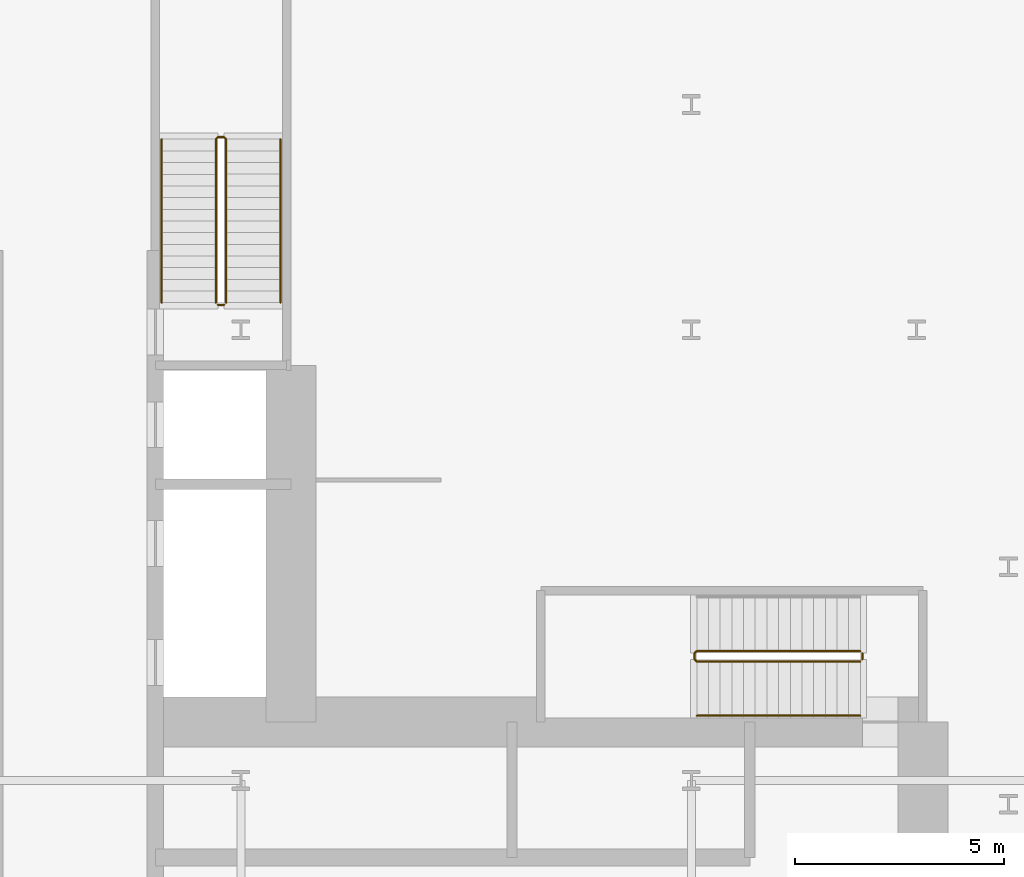
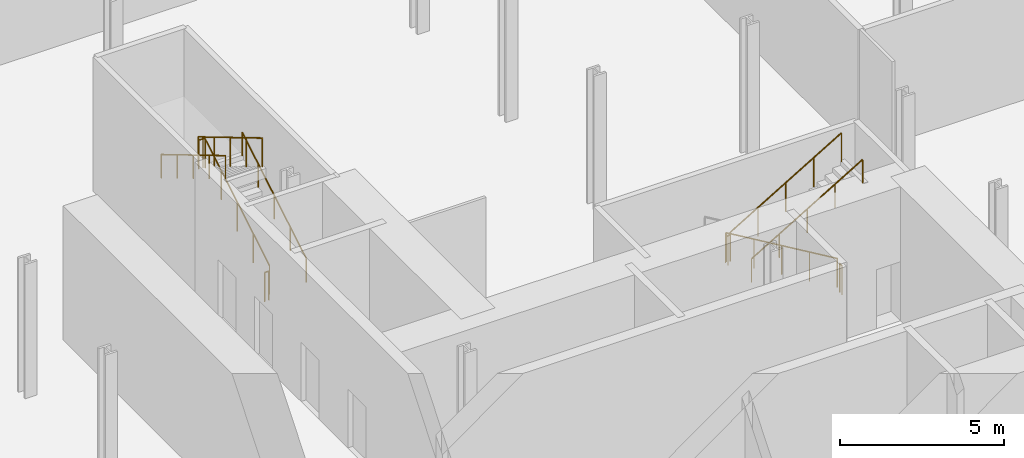
# One storey, part 15 of 19: 7 railings.
"""IFC4 building model written with IfcOpenShell, lengths in metres."""

import ifcopenshell
import ifcopenshell.guid

model = None  # the IFC model being written
_history = None  # IfcOwnerHistory: only IFC2X3 demands one
_inside = {}  # id of a spatial element -> (the spatial element, [elements in it])
_under = {}  # id of a project, library or spatial element -> (it, [spatial elements below it])
_declared = {}  # id of a project -> (the project, [libraries it declares])
_typed = {}  # id of a type object -> (the type object, [elements of that type])
_made_of = {}  # id of a material, layer set ... -> (it, [elements and type objects made of it])


def new_model(schema):
    """Start an empty IFC model of exactly this schema.

    Asked for "IFC4X3", IfcOpenShell would pick the latest addendum, in which some entities
    have other attributes; the version numbers below select the first issue.
    IFC2X3 requires an IfcOwnerHistory on every rooted entity: one is made here for all.
    """
    global model, _history
    if schema == "IFC4X3":
        model = ifcopenshell.file(schema_version=(4, 3, 0, 0))
    else:
        model = ifcopenshell.file(schema=schema)
    _inside.clear()
    _under.clear()
    _declared.clear()
    _typed.clear()
    _made_of.clear()
    _history = None
    if model.schema == "IFC2X3":
        org = make("IfcOrganization", Name="unknown")
        user = make(
            "IfcPersonAndOrganization",
            ThePerson=make("IfcPerson", FamilyName="unknown"),
            TheOrganization=org,
        )
        app = make(
            "IfcApplication",
            ApplicationDeveloper=org,
            Version="unknown",
            ApplicationFullName="unknown",
            ApplicationIdentifier="unknown",
        )
        _history = make(
            "IfcOwnerHistory",
            OwningUser=user,
            OwningApplication=app,
            ChangeAction="ADDED",
            CreationDate=0,
        )
    return model


def make(cls, **values):
    """One entity of the class cls with the attributes given. An attribute that is None is left unset."""
    return model.create_entity(
        cls, **{name: value for name, value in values.items() if value is not None}
    )


def rooted(cls, **values):
    """An entity with a GlobalId (a new one), such as an element, a storey or a relation."""
    return make(cls, GlobalId=ifcopenshell.guid.new(), OwnerHistory=_history, **values)


def si_unit(unit_type, name, prefix=None):
    """IfcSIUnit, for example si_unit("LENGTHUNIT", "METRE", prefix="MILLI")."""
    return make("IfcSIUnit", UnitType=unit_type, Prefix=prefix, Name=name)


def assignment(units):
    """IfcUnitAssignment: the units of a project."""
    return None if units is None else make("IfcUnitAssignment", Units=units)


def point(xyz):
    """IfcCartesianPoint."""
    return None if xyz is None else make("IfcCartesianPoint", Coordinates=xyz)


def direction(xyz):
    """IfcDirection."""
    return None if xyz is None else make("IfcDirection", DirectionRatios=xyz)


def frame(location, z_axis=None, x_axis=None):
    """IfcAxis2Placement3D, a coordinate frame: its origin and axes. An axis left out is left unset."""
    return make(
        "IfcAxis2Placement3D",
        Location=point(location),
        Axis=direction(z_axis),
        RefDirection=direction(x_axis),
    )


def frame_2d(location, x_axis=None):
    """IfcAxis2Placement2D, a coordinate frame in the plane: its origin and x axis."""
    return make(
        "IfcAxis2Placement2D", Location=point(location), RefDirection=direction(x_axis)
    )


def origin():
    """The frame at (0, 0, 0) with its axes left unset."""
    return frame((0.0, 0.0, 0.0))


def origin_2d():
    """The frame at (0, 0) in the plane with its x axis left unset."""
    return frame_2d((0.0, 0.0))


def place(relative_to, where):
    """IfcLocalPlacement: puts the frame where relative to a parent placement (None: the world)."""
    return make(
        "IfcLocalPlacement", PlacementRelTo=relative_to, RelativePlacement=where
    )


def context(
    kind, dimensions, precision=None, world=None, true_north=None, identifier=None
):
    """IfcGeometricRepresentationContext, for example the 3D "Model" context."""
    return make(
        "IfcGeometricRepresentationContext",
        ContextIdentifier=identifier,
        ContextType=kind,
        CoordinateSpaceDimension=dimensions,
        Precision=precision,
        WorldCoordinateSystem=world,
        TrueNorth=true_north,
    )


def subcontext(parent, identifier, kind, view, scale=None):
    """IfcGeometricRepresentationSubContext, for example "Body" below "Model"."""
    return make(
        "IfcGeometricRepresentationSubContext",
        ContextIdentifier=identifier,
        ContextType=kind,
        ParentContext=parent,
        TargetScale=scale,
        TargetView=view,
    )


def project(units=None, contexts=None):
    """IfcProject with its units and contexts."""
    return rooted(
        "IfcProject",
        Name="project",
        RepresentationContexts=contexts,
        UnitsInContext=assignment(units),
    )


def spatial(cls, under=None, at=None, **own):
    """A site, building, storey or space (cls), placed at a placement, below another one or the project."""
    s = rooted(cls, ObjectPlacement=at, **own)
    if under is not None:
        _under.setdefault(under.id(), (under, []))[1].append(s)
    return s


def profile(cls, at=None, kind="AREA", **sizes):
    """A parametric profile (cls). Its sizes go by their IFC names, for example OverallWidth=200.0."""
    return make(cls, ProfileType=kind, Position=at, **sizes)


def circle(**sizes):
    """IfcCircleProfileDef."""
    return profile("IfcCircleProfileDef", **sizes)


def extrude(swept, where, along, depth):
    """IfcExtrudedAreaSolid: the profile swept, set in the frame where, extruded along a direction by depth."""
    return make(
        "IfcExtrudedAreaSolid",
        SweptArea=swept,
        Position=where,
        ExtrudedDirection=direction(along),
        Depth=depth,
    )


def shape(context_of_items, identifier, shape_type, items):
    """IfcShapeRepresentation: the items that make up one representation, for example the "Body"."""
    return make(
        "IfcShapeRepresentation",
        ContextOfItems=context_of_items,
        RepresentationIdentifier=identifier,
        RepresentationType=shape_type,
        Items=items,
    )


def material(Name=None, Category=None):
    """IfcMaterial."""
    return make("IfcMaterial", Name=Name, Category=Category)


def made_of(thing, what):
    """Note that an element or type object is made of a material, layer set ...; save() writes the relation."""
    if what is not None:
        _made_of.setdefault(what.id(), (what, []))[1].append(thing)
    return thing


def type_object(cls, material=None, **own):
    """A type object (cls), such as IfcWallType, which elements share."""
    return made_of(rooted(cls, **own), material)


def element(
    cls,
    number,
    at=None,
    inside=None,
    cuts=None,
    type_object=None,
    material=None,
    context=None,
    identifier="Body",
    shape_type=None,
    held_by="IfcProductDefinitionShape",
    body=None,
    shapes=None,
    **own,
):
    """One element of the class cls, such as IfcWall. Its Tag is "e" and its number.

    at: its placement. inside: the storey or other place that contains it. cuts: it is an
    opening in that element (IfcRelVoidsElement). A single representation is given by context,
    identifier, shape_type and body (its items); several are given by shapes. held_by: the class
    of the entity that holds the representations. save() writes the other relations.
    """
    e = rooted(cls, Tag="e%d" % number, ObjectPlacement=at, **own)
    if body is not None:
        shapes = [shape(context, identifier, shape_type, body)]
    if shapes is not None:
        e.Representation = make(held_by, Representations=shapes)
    if inside is not None:
        _inside.setdefault(inside.id(), (inside, []))[1].append(e)
    if cuts is not None:
        rooted(
            "IfcRelVoidsElement", RelatingBuildingElement=cuts, RelatedOpeningElement=e
        )
    if type_object is not None:
        _typed.setdefault(type_object.id(), (type_object, []))[1].append(e)
    return made_of(e, material)


def aggregate(whole, parts):
    """IfcRelAggregates: a whole, such as a stair, and the parts it consists of."""
    return rooted("IfcRelAggregates", RelatingObject=whole, RelatedObjects=parts)


def save(model, path):
    """Write the relations noted so far, then the file.

    IfcRelAggregates (storeys below a building ...), IfcRelContainedInSpatialStructure (elements
    in a storey), IfcRelDefinesByType, IfcRelAssociatesMaterial and IfcRelDeclares: one each for
    every whole, place, type object, material and project.
    """
    for whole, parts in _under.values():
        aggregate(whole, parts)
    for where, things in _inside.values():
        rooted(
            "IfcRelContainedInSpatialStructure",
            RelatedElements=things,
            RelatingStructure=where,
        )
    for kind, things in _typed.values():
        rooted("IfcRelDefinesByType", RelatedObjects=things, RelatingType=kind)
    for what, things in _made_of.values():
        rooted("IfcRelAssociatesMaterial", RelatedObjects=things, RelatingMaterial=what)
    for by, libraries in _declared.values():
        rooted("IfcRelDeclares", RelatingContext=by, RelatedDefinitions=libraries)
    model.write(path)


model = new_model("IFC4")

# Units and contexts
model_context = context("Model", 3, precision=1e-05, world=origin(), true_north=direction((0.0, 1.0)))
body_context = subcontext(model_context, "Body", "Model", "MODEL_VIEW")
ifc_project = project(units=[si_unit("LENGTHUNIT", "METRE"), si_unit("AREAUNIT", "SQUARE_METRE"), si_unit("VOLUMEUNIT", "CUBIC_METRE"), si_unit("PLANEANGLEUNIT", "RADIAN"), si_unit("MASSUNIT", "GRAM", prefix="KILO")], contexts=[model_context])

# Site, building, storey
site_placement = place(None, origin())
site = spatial("IfcSite", under=ifc_project, at=site_placement, CompositionType="ELEMENT")
building_placement = place(site_placement, origin())
building = spatial("IfcBuilding", under=site, at=building_placement, Name="Kheshtan School and Residences Tower", CompositionType="ELEMENT")
storey_placement = place(building_placement, frame((0.0, 0.0, -5.0)))
storey = spatial("IfcBuildingStorey", under=building, at=storey_placement, Name="B1", CompositionType="ELEMENT", Elevation=-5.0)

# Railings
ifc_material_1 = material(Name="Stainless steel balustrade", Category="steel")
railing_type_1 = type_object("IfcRailingType", Name="Stair guard 1100", PredefinedType="GUARDRAIL", material=ifc_material_1)
railing_1_placement = place(storey_placement, frame((51.64990234375, 37.89990234375, 0.166748046875)))
element("IfcRailing", 1, at=railing_1_placement, inside=storey, type_object=railing_type_1, Name="B1 ST1 stair guard 1", PredefinedType="GUARDRAIL", context=body_context, shape_type="SweptSolid", body=[
    extrude(circle(Radius=0.02392578125, at=origin_2d()), frame((0.0, 0.0, 1.076171875), z_axis=(-0.859296244711, 0.0, 0.511478214419), x_axis=(0.0, -1.0, 0.0)), (0.0, 0.0, 1.0), 4.561767578125),
    extrude(circle(Radius=0.02392578125, at=origin_2d()), frame((-3.919921875, 0.0, 3.4091796875), z_axis=(-0.708833529934, -0.705375805398, 0.0), x_axis=(0.705375805398, -0.708833529934, 0.0)), (0.0, 0.0, 1.0), 0.070556640625),
    extrude(circle(Radius=0.02392578125, at=origin_2d()), frame((-3.969970703125, -0.0498046875, 3.4091796875), z_axis=(0.0, -1.0, 0.0), x_axis=(1.0, 0.0, 0.0)), (0.0, 0.0, 1.0), 0.150146484375),
    extrude(circle(Radius=0.02392578125, at=origin_2d()), frame((-3.969970703125, -0.199951171875, 3.4091796875), z_axis=(0.27628659633, -0.27628659633, 0.920506074601), x_axis=(0.707106781187, 0.707106781187, 0.0)), (0.0, 0.0, 1.0), 0.18115234375),
    extrude(circle(Radius=0.02392578125, at=origin_2d()), frame((-3.919921875, -0.25, 3.576171875), z_axis=(0.859296244711, 0.0, 0.511478214419), x_axis=(0.0, 1.0, 0.0)), (0.0, 0.0, 1.0), 4.561767578125),
    extrude(circle(Radius=0.02099609375, at=origin_2d()), origin(), (0.0, 0.0, 1.0), 1.052001953125),
    extrude(circle(Radius=0.02099609375, at=origin_2d()), frame((-0.97998046875, 0.0, 0.583251953125)), (0.0, 0.0, 1.0), 1.052001953125),
    extrude(circle(Radius=0.02099609375, at=origin_2d()), frame((-1.9599609375, 0.0, 1.16650390625)), (0.0, 0.0, 1.0), 1.052001953125),
    extrude(circle(Radius=0.02099609375, at=origin_2d()), frame((-2.93994140625, 0.0, 1.75)), (0.0, 0.0, 1.0), 1.052001953125),
    extrude(circle(Radius=0.02099609375, at=origin_2d()), frame((-3.919921875, 0.0, 2.333251953125)), (0.0, 0.0, 1.0), 1.052001953125),
    extrude(circle(Radius=0.02099609375, at=origin_2d()), frame((-3.969970703125, -0.0498046875, 2.333251953125)), (0.0, 0.0, 1.0), 1.052001953125),
    extrude(circle(Radius=0.02099609375, at=origin_2d()), frame((-3.969970703125, -0.199951171875, 2.333251953125)), (0.0, 0.0, 1.0), 1.052001953125),
    extrude(circle(Radius=0.02099609375, at=origin_2d()), frame((-3.919921875, -0.25, 2.5)), (0.0, 0.0, 1.0), 1.052001953125),
    extrude(circle(Radius=0.02099609375, at=origin_2d()), frame((-2.93994140625, -0.25, 3.083251953125)), (0.0, 0.0, 1.0), 1.052001953125),
    extrude(circle(Radius=0.02099609375, at=origin_2d()), frame((-1.9599609375, -0.25, 3.66650390625)), (0.0, 0.0, 1.0), 1.052001953125),
    extrude(circle(Radius=0.02099609375, at=origin_2d()), frame((-0.97998046875, -0.25, 4.25)), (0.0, 0.0, 1.0), 1.052001953125),
    extrude(circle(Radius=0.02099609375, at=origin_2d()), frame((0.0, -0.25, 4.833251953125)), (0.0, 0.0, 1.0), 1.052001953125),
])
railing_2_placement = place(storey_placement, frame((51.699951171875, 37.85009765625, 0.0)))
element("IfcRailing", 2, at=railing_2_placement, inside=storey, type_object=railing_type_1, Name="B1 ST1 stair guard 2", PredefinedType="GUARDRAIL", context=body_context, shape_type="SweptSolid", body=[
    extrude(circle(Radius=0.02392578125, at=origin_2d()), frame((0.0, 0.0, 1.076171875), z_axis=(0.0, -1.0, 0.0), x_axis=(1.0, 0.0, 0.0)), (0.0, 0.0, 1.0), 0.150146484375),
    extrude(circle(Radius=0.02099609375, at=origin_2d()), origin(), (0.0, 0.0, 1.0), 1.052001953125),
    extrude(circle(Radius=0.02099609375, at=origin_2d()), frame((0.0, -0.150146484375, 0.0)), (0.0, 0.0, 1.0), 1.052001953125),
])
railing_3_placement = place(storey_placement, frame((36.449951171875, 46.25, 0.166748046875)))
element("IfcRailing", 3, at=railing_3_placement, inside=storey, type_object=railing_type_1, Name="B1 ST2 stair guard 1", PredefinedType="GUARDRAIL", context=body_context, shape_type="SweptSolid", body=[
    extrude(circle(Radius=0.02392578125, at=origin_2d()), frame((0.0, 0.0, 1.076171875), z_axis=(0.0, 0.859296244711, 0.511478214419), x_axis=(-1.0, 0.0, 0.0)), (0.0, 0.0, 1.0), 4.561767578125),
    extrude(circle(Radius=0.02392578125, at=origin_2d()), frame((0.0, 3.919921875, 3.4091796875), z_axis=(-0.707106781187, 0.707106781187, 0.0), x_axis=(-0.707106781187, -0.707106781187, 0.0)), (0.0, 0.0, 1.0), 0.07080078125),
    extrude(circle(Radius=0.02392578125, at=origin_2d()), frame((-0.050048828125, 3.969970703125, 3.4091796875), z_axis=(-1.0, 0.0, 0.0), x_axis=(0.0, -1.0, 0.0)), (0.0, 0.0, 1.0), 0.14990234375),
    extrude(circle(Radius=0.02392578125, at=origin_2d()), frame((-0.199951171875, 3.969970703125, 3.4091796875), z_axis=(-0.27628659633, -0.27628659633, 0.920506074601), x_axis=(0.707106781187, -0.707106781187, 0.0)), (0.0, 0.0, 1.0), 0.18115234375),
    extrude(circle(Radius=0.02392578125, at=origin_2d()), frame((-0.25, 3.919921875, 3.576171875), z_axis=(0.0, -0.859296244711, 0.511478214419), x_axis=(1.0, 0.0, 0.0)), (0.0, 0.0, 1.0), 4.561767578125),
    extrude(circle(Radius=0.02099609375, at=origin_2d()), origin(), (0.0, 0.0, 1.0), 1.052001953125),
    extrude(circle(Radius=0.02099609375, at=origin_2d()), frame((0.0, 0.97998046875, 0.583251953125)), (0.0, 0.0, 1.0), 1.052001953125),
    extrude(circle(Radius=0.02099609375, at=origin_2d()), frame((0.0, 1.9599609375, 1.16650390625)), (0.0, 0.0, 1.0), 1.052001953125),
    extrude(circle(Radius=0.02099609375, at=origin_2d()), frame((0.0, 2.93994140625, 1.75)), (0.0, 0.0, 1.0), 1.052001953125),
    extrude(circle(Radius=0.02099609375, at=origin_2d()), frame((0.0, 3.919921875, 2.333251953125)), (0.0, 0.0, 1.0), 1.052001953125),
    extrude(circle(Radius=0.02099609375, at=origin_2d()), frame((-0.050048828125, 3.969970703125, 2.333251953125)), (0.0, 0.0, 1.0), 1.052001953125),
    extrude(circle(Radius=0.02099609375, at=origin_2d()), frame((-0.199951171875, 3.969970703125, 2.333251953125)), (0.0, 0.0, 1.0), 1.052001953125),
    extrude(circle(Radius=0.02099609375, at=origin_2d()), frame((-0.25, 3.919921875, 2.5)), (0.0, 0.0, 1.0), 1.052001953125),
    extrude(circle(Radius=0.02099609375, at=origin_2d()), frame((-0.25, 2.93994140625, 3.083251953125)), (0.0, 0.0, 1.0), 1.052001953125),
    extrude(circle(Radius=0.02099609375, at=origin_2d()), frame((-0.25, 1.9599609375, 3.66650390625)), (0.0, 0.0, 1.0), 1.052001953125),
    extrude(circle(Radius=0.02099609375, at=origin_2d()), frame((-0.25, 0.97998046875, 4.25)), (0.0, 0.0, 1.0), 1.052001953125),
    extrude(circle(Radius=0.02099609375, at=origin_2d()), frame((-0.25, 0.0, 4.833251953125)), (0.0, 0.0, 1.0), 1.052001953125),
])
railing_4_placement = place(storey_placement, frame((36.39990234375, 46.199951171875, 0.0)))
element("IfcRailing", 4, at=railing_4_placement, inside=storey, type_object=railing_type_1, Name="B1 ST2 stair guard 2", PredefinedType="GUARDRAIL", context=body_context, shape_type="SweptSolid", body=[
    extrude(circle(Radius=0.02392578125, at=origin_2d()), frame((0.0, 0.0, 1.076171875), z_axis=(-1.0, 0.0, 0.0), x_axis=(0.0, -1.0, 0.0)), (0.0, 0.0, 1.0), 0.14990234375),
    extrude(circle(Radius=0.02099609375, at=origin_2d()), origin(), (0.0, 0.0, 1.0), 1.052001953125),
    extrude(circle(Radius=0.02099609375, at=origin_2d()), frame((-0.14990234375, 0.0, 0.0)), (0.0, 0.0, 1.0), 1.052001953125),
])
ifc_material_2 = material(Name="Stainless steel handrail", Category="steel")
railing_type_2 = type_object("IfcRailingType", Name="Stair handrail 900", PredefinedType="HANDRAIL", material=ifc_material_2)
railing_5_placement = place(storey_placement, frame((47.72998046875, 36.35009765625, 2.666748046875)))
element("IfcRailing", 5, at=railing_5_placement, inside=storey, type_object=railing_type_2, Name="B1 ST1 stair handrail 2", PredefinedType="HANDRAIL", context=body_context, shape_type="SweptSolid", body=[
    extrude(circle(Radius=0.02392578125, at=origin_2d()), frame((0.0, 0.0, 0.8759765625), z_axis=(0.859296244711, 0.0, 0.511478214419), x_axis=(0.0, 1.0, 0.0)), (0.0, 0.0, 1.0), 4.561767578125),
    extrude(circle(Radius=0.02099609375, at=origin_2d()), origin(), (0.0, 0.0, 1.0), 0.851806640625),
    extrude(circle(Radius=0.02099609375, at=origin_2d()), frame((0.97998046875, 0.0, 0.583251953125)), (0.0, 0.0, 1.0), 0.851806640625),
    extrude(circle(Radius=0.02099609375, at=origin_2d()), frame((1.9599609375, 0.0, 1.16650390625)), (0.0, 0.0, 1.0), 0.851806640625),
    extrude(circle(Radius=0.02099609375, at=origin_2d()), frame((2.93994140625, 0.0, 1.75)), (0.0, 0.0, 1.0), 0.851806640625),
    extrude(circle(Radius=0.02099609375, at=origin_2d()), frame((3.919921875, 0.0, 2.333251953125)), (0.0, 0.0, 1.0), 0.851806640625),
])
railing_6_placement = place(storey_placement, frame((37.75, 46.25, 0.166748046875)))
element("IfcRailing", 6, at=railing_6_placement, inside=storey, type_object=railing_type_2, Name="B1 ST2 stair handrail 1", PredefinedType="HANDRAIL", context=body_context, shape_type="SweptSolid", body=[
    extrude(circle(Radius=0.02392578125, at=origin_2d()), frame((0.0, 0.0, 0.8759765625), z_axis=(0.0, 0.859296244711, 0.511478214419), x_axis=(-1.0, 0.0, 0.0)), (0.0, 0.0, 1.0), 4.561767578125),
    extrude(circle(Radius=0.02099609375, at=origin_2d()), origin(), (0.0, 0.0, 1.0), 0.851806640625),
    extrude(circle(Radius=0.02099609375, at=origin_2d()), frame((0.0, 0.97998046875, 0.583251953125)), (0.0, 0.0, 1.0), 0.851806640625),
    extrude(circle(Radius=0.02099609375, at=origin_2d()), frame((0.0, 1.9599609375, 1.16650390625)), (0.0, 0.0, 1.0), 0.851806640625),
    extrude(circle(Radius=0.02099609375, at=origin_2d()), frame((0.0, 2.93994140625, 1.75)), (0.0, 0.0, 1.0), 0.851806640625),
    extrude(circle(Radius=0.02099609375, at=origin_2d()), frame((0.0, 3.919921875, 2.333251953125)), (0.0, 0.0, 1.0), 0.851806640625),
])
railing_7_placement = place(storey_placement, frame((34.89990234375, 50.169921875, 2.666748046875)))
element("IfcRailing", 7, at=railing_7_placement, inside=storey, type_object=railing_type_2, Name="B1 ST2 stair handrail 2", PredefinedType="HANDRAIL", context=body_context, shape_type="SweptSolid", body=[
    extrude(circle(Radius=0.02392578125, at=origin_2d()), frame((0.0, 0.0, 0.8759765625), z_axis=(0.0, -0.859296244711, 0.511478214419), x_axis=(1.0, 0.0, 0.0)), (0.0, 0.0, 1.0), 4.561767578125),
    extrude(circle(Radius=0.02099609375, at=origin_2d()), origin(), (0.0, 0.0, 1.0), 0.851806640625),
    extrude(circle(Radius=0.02099609375, at=origin_2d()), frame((0.0, -0.97998046875, 0.583251953125)), (0.0, 0.0, 1.0), 0.851806640625),
    extrude(circle(Radius=0.02099609375, at=origin_2d()), frame((0.0, -1.9599609375, 1.16650390625)), (0.0, 0.0, 1.0), 0.851806640625),
    extrude(circle(Radius=0.02099609375, at=origin_2d()), frame((0.0, -2.93994140625, 1.75)), (0.0, 0.0, 1.0), 0.851806640625),
    extrude(circle(Radius=0.02099609375, at=origin_2d()), frame((0.0, -3.919921875, 2.333251953125)), (0.0, 0.0, 1.0), 0.851806640625),
])

save(model, "model.ifc")
